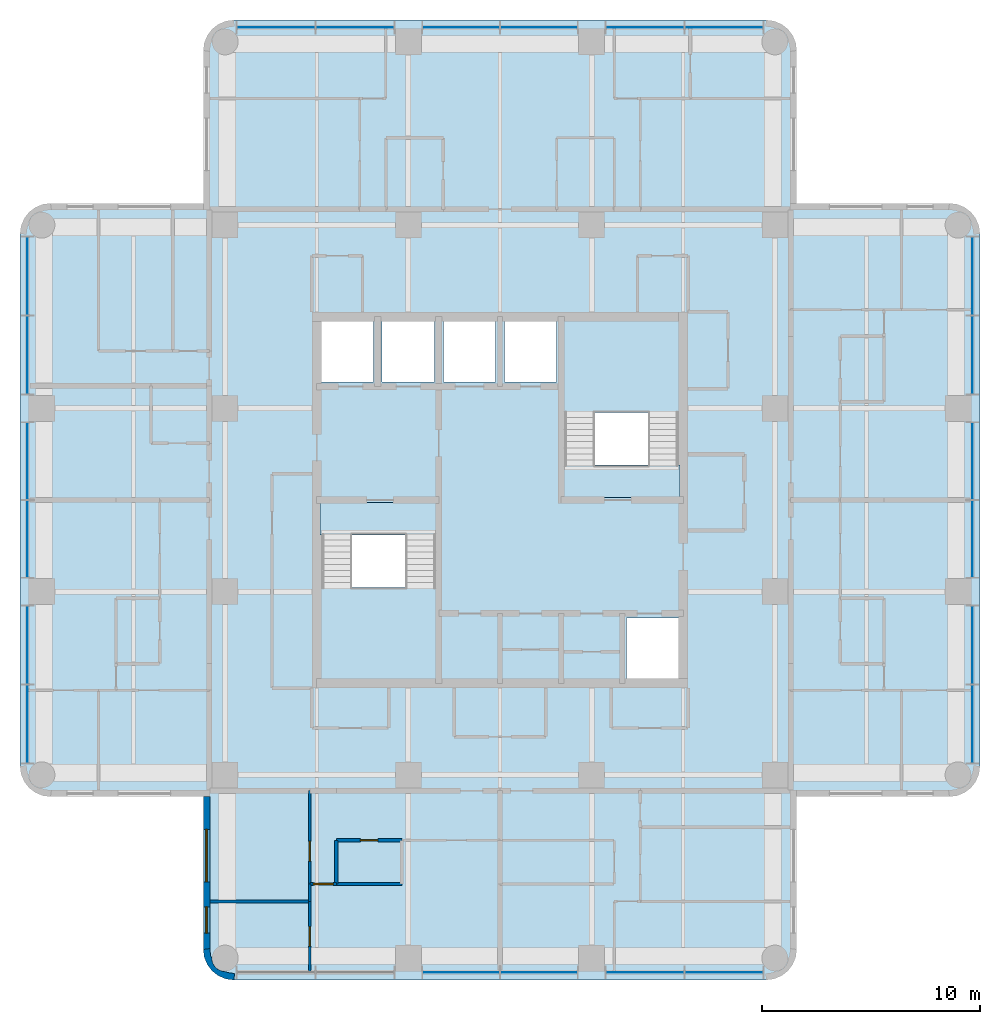
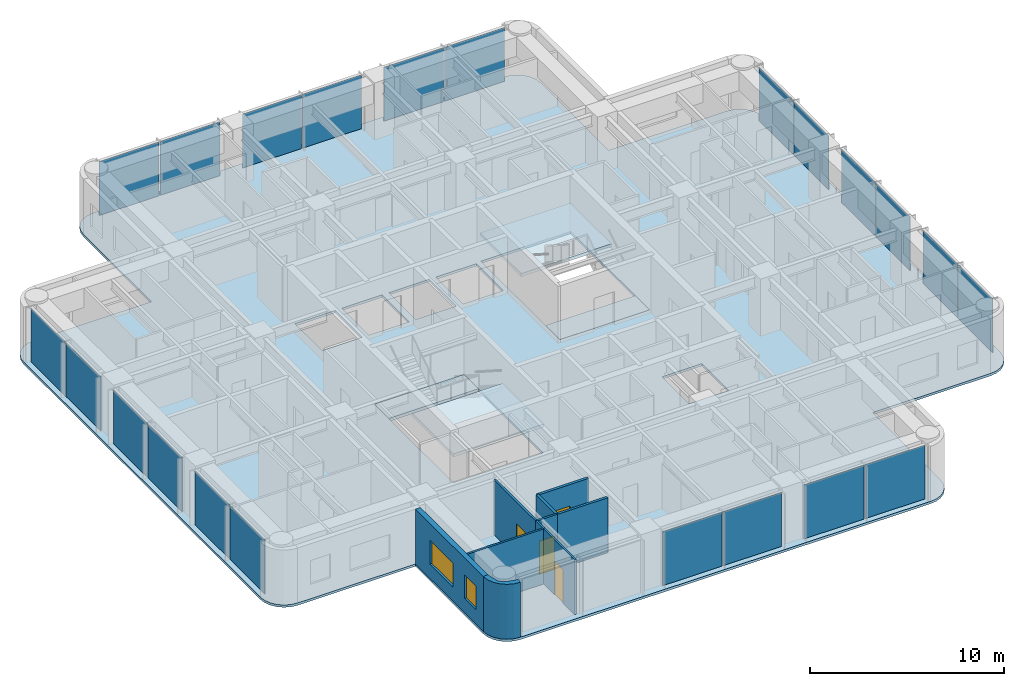
# One storey, part 3 of 10: 22 plates, 10 walls, 5 slabs, 4 doors, 2 windows, 6 openings, 6 elements without a shape of their own.
"""IFC4 building model written with IfcOpenShell, lengths in metres."""

from ifc_helpers import new_model, si_unit, direction, frame, frame_2d, origin, origin_2d, place, context, subcontext, project, spatial, polyline, rectangle, outline, extrude, material, layer, layer_set, type_object, element, fill, aggregate, save


model = new_model("IFC4")

# Units and contexts
model_context = context("Model", 3, precision=1e-05, world=origin(), true_north=direction((0.0, 1.0)))
body_context = subcontext(model_context, "Body", "Model", "MODEL_VIEW")
ifc_project = project(units=[si_unit("LENGTHUNIT", "METRE"), si_unit("AREAUNIT", "SQUARE_METRE"), si_unit("VOLUMEUNIT", "CUBIC_METRE"), si_unit("PLANEANGLEUNIT", "RADIAN"), si_unit("MASSUNIT", "GRAM", prefix="KILO")], contexts=[model_context])

# Site, building, storey
site_placement = place(None, origin())
site = spatial("IfcSite", under=ifc_project, at=site_placement, CompositionType="ELEMENT")
building_placement = place(site_placement, origin())
building = spatial("IfcBuilding", under=site, at=building_placement, Name="Torre Alcanfor", CompositionType="ELEMENT")
storey_placement = place(building_placement, frame((0.0, 0.0, 293.699951171875)))
storey = spatial("IfcBuildingStorey", under=building, at=storey_placement, Name="L77", CompositionType="ELEMENT", Elevation=293.699951171875)

# Curtain wall, plates
ifc_material_1 = material(Name="Aluminium and glass", Category="aluminium")
curtain_wall_type = type_object("IfcCurtainWallType", Name="CW-A unitised apartment glazing with vertical FIN", PredefinedType="NOTDEFINED", material=ifc_material_1)
curtain_wall_1_placement = place(storey_placement, origin())
curtain_wall_1 = element("IfcCurtainWall", 1, at=curtain_wall_1_placement, inside=storey, type_object=curtain_wall_type, Name="Curtain wall CW-A L77 2", PredefinedType="NOTDEFINED")
ifc_material_2 = material(Name="Glass", Category="glass")
ifc_layer_1 = layer(ifc_material_2, 0.028076171875)
ifc_layer_set_1 = layer_set([ifc_layer_1], Name="CW-A clear double glazed unit")
plate_type = type_object("IfcPlateType", Name="CW-A clear double glazed unit", PredefinedType="CURTAIN_PANEL", material=ifc_layer_set_1)
plate_1_placement = place(storey_placement, frame((7.75, 39.664794921875, 0.0), z_axis=(0.0, 0.0, 1.0), x_axis=(0.0, -1.0, 0.0)))
plate_1 = element("IfcPlate", 2, at=plate_1_placement, type_object=plate_type, Name="CW-A panel 1.1.1", PredefinedType="CURTAIN_PANEL", context=body_context, shape_type="SweptSolid", body=[
    extrude(rectangle(XDim=3.55322265625, YDim=0.028076171875, at=origin_2d()), origin(), (0.0, 0.0, 1.0), 3.385009765625),
])
plate_2_placement = place(storey_placement, frame((7.75, 36.046630859375, 0.0), z_axis=(0.0, 0.0, 1.0), x_axis=(0.0, -1.0, 0.0)))
plate_2 = element("IfcPlate", 3, at=plate_2_placement, type_object=plate_type, Name="CW-A panel 1.2.1", PredefinedType="CURTAIN_PANEL", context=body_context, shape_type="SweptSolid", body=[
    extrude(rectangle(XDim=3.55322265625, YDim=0.028076171875, at=origin_2d()), origin(), (0.0, 0.0, 1.0), 3.385009765625),
])
plate_3_placement = place(storey_placement, frame((7.75, 31.18115234375, 0.0), z_axis=(0.0, 0.0, 1.0), x_axis=(0.0, -1.0, 0.0)))
plate_3 = element("IfcPlate", 4, at=plate_3_placement, type_object=plate_type, Name="CW-A panel 2.1.1", PredefinedType="CURTAIN_PANEL", context=body_context, shape_type="SweptSolid", body=[
    extrude(rectangle(XDim=3.49755859375, YDim=0.028076171875, at=origin_2d()), origin(), (0.0, 0.0, 1.0), 3.385009765625),
])
plate_4_placement = place(storey_placement, frame((7.75, 27.61865234375, 0.0), z_axis=(0.0, 0.0, 1.0), x_axis=(0.0, -1.0, 0.0)))
plate_4 = element("IfcPlate", 5, at=plate_4_placement, type_object=plate_type, Name="CW-A panel 2.2.1", PredefinedType="CURTAIN_PANEL", context=body_context, shape_type="SweptSolid", body=[
    extrude(rectangle(XDim=3.49755859375, YDim=0.028076171875, at=origin_2d()), origin(), (0.0, 0.0, 1.0), 3.385009765625),
])
plate_5_placement = place(storey_placement, frame((7.75, 22.75341796875, 0.0), z_axis=(0.0, 0.0, 1.0), x_axis=(0.0, -1.0, 0.0)))
plate_5 = element("IfcPlate", 6, at=plate_5_placement, type_object=plate_type, Name="CW-A panel 3.1.1", PredefinedType="CURTAIN_PANEL", context=body_context, shape_type="SweptSolid", body=[
    extrude(rectangle(XDim=3.55322265625, YDim=0.028076171875, at=origin_2d()), origin(), (0.0, 0.0, 1.0), 3.385009765625),
])
plate_6_placement = place(storey_placement, frame((7.75, 19.135009765625, 0.0), z_axis=(0.0, 0.0, 1.0), x_axis=(0.0, -1.0, 0.0)))
plate_6 = element("IfcPlate", 7, at=plate_6_placement, type_object=plate_type, Name="CW-A panel 3.2.1", PredefinedType="CURTAIN_PANEL", context=body_context, shape_type="SweptSolid", body=[
    extrude(rectangle(XDim=3.55322265625, YDim=0.028076171875, at=origin_2d()), origin(), (0.0, 0.0, 1.0), 3.385009765625),
])
aggregate(curtain_wall_1, [plate_1, plate_2, plate_3, plate_4, plate_5, plate_6])

curtain_wall_2_placement = place(storey_placement, origin())
curtain_wall_2 = element("IfcCurtainWall", 8, at=curtain_wall_2_placement, inside=storey, type_object=curtain_wall_type, Name="Curtain wall CW-A L77 5", PredefinedType="NOTDEFINED")
plate_7_placement = place(storey_placement, frame((27.61865234375, 7.75, 0.0), z_axis=(0.0, 0.0, 1.0), x_axis=(1.0, 0.0, 0.0)))
plate_7 = element("IfcPlate", 9, at=plate_7_placement, type_object=plate_type, Name="CW-A panel 2.1.1", PredefinedType="CURTAIN_PANEL", context=body_context, shape_type="SweptSolid", body=[
    extrude(rectangle(XDim=3.49755859375, YDim=0.028076171875, at=origin_2d()), origin(), (0.0, 0.0, 1.0), 3.385009765625),
])
plate_8_placement = place(storey_placement, frame((31.18115234375, 7.75, 0.0), z_axis=(0.0, 0.0, 1.0), x_axis=(1.0, 0.0, 0.0)))
plate_8 = element("IfcPlate", 10, at=plate_8_placement, type_object=plate_type, Name="CW-A panel 2.2.1", PredefinedType="CURTAIN_PANEL", context=body_context, shape_type="SweptSolid", body=[
    extrude(rectangle(XDim=3.49755859375, YDim=0.028076171875, at=origin_2d()), origin(), (0.0, 0.0, 1.0), 3.385009765625),
])
plate_9_placement = place(storey_placement, frame((36.046630859375, 7.75, 0.0), z_axis=(0.0, 0.0, 1.0), x_axis=(1.0, 0.0, 0.0)))
plate_9 = element("IfcPlate", 11, at=plate_9_placement, type_object=plate_type, Name="CW-A panel 3.1.1", PredefinedType="CURTAIN_PANEL", context=body_context, shape_type="SweptSolid", body=[
    extrude(rectangle(XDim=3.55322265625, YDim=0.028076171875, at=origin_2d()), origin(), (0.0, 0.0, 1.0), 3.385009765625),
])
plate_10_placement = place(storey_placement, frame((39.664794921875, 7.75, 0.0), z_axis=(0.0, 0.0, 1.0), x_axis=(1.0, 0.0, 0.0)))
plate_10 = element("IfcPlate", 12, at=plate_10_placement, type_object=plate_type, Name="CW-A panel 3.2.1", PredefinedType="CURTAIN_PANEL", context=body_context, shape_type="SweptSolid", body=[
    extrude(rectangle(XDim=3.55322265625, YDim=0.028076171875, at=origin_2d()), origin(), (0.0, 0.0, 1.0), 3.385009765625),
])
aggregate(curtain_wall_2, [plate_7, plate_8, plate_9, plate_10])

curtain_wall_3_placement = place(storey_placement, origin())
curtain_wall_3 = element("IfcCurtainWall", 13, at=curtain_wall_3_placement, inside=storey, type_object=curtain_wall_type, Name="Curtain wall CW-A L77 8", PredefinedType="NOTDEFINED")
plate_11_placement = place(storey_placement, frame((51.050048828125, 19.135009765625, 0.0), z_axis=(0.0, 0.0, 1.0), x_axis=(0.0, 1.0, 0.0)))
plate_11 = element("IfcPlate", 14, at=plate_11_placement, type_object=plate_type, Name="CW-A panel 1.1.1", PredefinedType="CURTAIN_PANEL", context=body_context, shape_type="SweptSolid", body=[
    extrude(rectangle(XDim=3.55322265625, YDim=0.028076171875, at=origin_2d()), origin(), (0.0, 0.0, 1.0), 3.385009765625),
])
plate_12_placement = place(storey_placement, frame((51.050048828125, 22.75341796875, 0.0), z_axis=(0.0, 0.0, 1.0), x_axis=(0.0, 1.0, 0.0)))
plate_12 = element("IfcPlate", 15, at=plate_12_placement, type_object=plate_type, Name="CW-A panel 1.2.1", PredefinedType="CURTAIN_PANEL", context=body_context, shape_type="SweptSolid", body=[
    extrude(rectangle(XDim=3.55322265625, YDim=0.028076171875, at=origin_2d()), origin(), (0.0, 0.0, 1.0), 3.385009765625),
])
plate_13_placement = place(storey_placement, frame((51.050048828125, 27.61865234375, 0.0), z_axis=(0.0, 0.0, 1.0), x_axis=(0.0, 1.0, 0.0)))
plate_13 = element("IfcPlate", 16, at=plate_13_placement, type_object=plate_type, Name="CW-A panel 2.1.1", PredefinedType="CURTAIN_PANEL", context=body_context, shape_type="SweptSolid", body=[
    extrude(rectangle(XDim=3.49755859375, YDim=0.028076171875, at=origin_2d()), origin(), (0.0, 0.0, 1.0), 3.385009765625),
])
plate_14_placement = place(storey_placement, frame((51.050048828125, 31.18115234375, 0.0), z_axis=(0.0, 0.0, 1.0), x_axis=(0.0, 1.0, 0.0)))
plate_14 = element("IfcPlate", 17, at=plate_14_placement, type_object=plate_type, Name="CW-A panel 2.2.1", PredefinedType="CURTAIN_PANEL", context=body_context, shape_type="SweptSolid", body=[
    extrude(rectangle(XDim=3.49755859375, YDim=0.028076171875, at=origin_2d()), origin(), (0.0, 0.0, 1.0), 3.385009765625),
])
plate_15_placement = place(storey_placement, frame((51.050048828125, 36.046630859375, 0.0), z_axis=(0.0, 0.0, 1.0), x_axis=(0.0, 1.0, 0.0)))
plate_15 = element("IfcPlate", 18, at=plate_15_placement, type_object=plate_type, Name="CW-A panel 3.1.1", PredefinedType="CURTAIN_PANEL", context=body_context, shape_type="SweptSolid", body=[
    extrude(rectangle(XDim=3.55322265625, YDim=0.028076171875, at=origin_2d()), origin(), (0.0, 0.0, 1.0), 3.385009765625),
])
plate_16_placement = place(storey_placement, frame((51.050048828125, 39.664794921875, 0.0), z_axis=(0.0, 0.0, 1.0), x_axis=(0.0, 1.0, 0.0)))
plate_16 = element("IfcPlate", 19, at=plate_16_placement, type_object=plate_type, Name="CW-A panel 3.2.1", PredefinedType="CURTAIN_PANEL", context=body_context, shape_type="SweptSolid", body=[
    extrude(rectangle(XDim=3.55322265625, YDim=0.028076171875, at=origin_2d()), origin(), (0.0, 0.0, 1.0), 3.385009765625),
])
aggregate(curtain_wall_3, [plate_11, plate_12, plate_13, plate_14, plate_15, plate_16])

curtain_wall_4_placement = place(storey_placement, origin())
curtain_wall_4 = element("IfcCurtainWall", 20, at=curtain_wall_4_placement, inside=storey, type_object=curtain_wall_type, Name="Curtain wall CW-A L77 11", PredefinedType="NOTDEFINED")
plate_17_placement = place(storey_placement, frame((39.664794921875, 51.050048828125, 0.0), z_axis=(0.0, 0.0, 1.0), x_axis=(-1.0, 0.0, 0.0)))
plate_17 = element("IfcPlate", 21, at=plate_17_placement, type_object=plate_type, Name="CW-A panel 1.1.1", PredefinedType="CURTAIN_PANEL", context=body_context, shape_type="SweptSolid", body=[
    extrude(rectangle(XDim=3.55322265625, YDim=0.028076171875, at=origin_2d()), origin(), (0.0, 0.0, 1.0), 3.385009765625),
])
plate_18_placement = place(storey_placement, frame((36.046630859375, 51.050048828125, 0.0), z_axis=(0.0, 0.0, 1.0), x_axis=(-1.0, 0.0, 0.0)))
plate_18 = element("IfcPlate", 22, at=plate_18_placement, type_object=plate_type, Name="CW-A panel 1.2.1", PredefinedType="CURTAIN_PANEL", context=body_context, shape_type="SweptSolid", body=[
    extrude(rectangle(XDim=3.55322265625, YDim=0.028076171875, at=origin_2d()), origin(), (0.0, 0.0, 1.0), 3.385009765625),
])
plate_19_placement = place(storey_placement, frame((31.18115234375, 51.050048828125, 0.0), z_axis=(0.0, 0.0, 1.0), x_axis=(-1.0, 0.0, 0.0)))
plate_19 = element("IfcPlate", 23, at=plate_19_placement, type_object=plate_type, Name="CW-A panel 2.1.1", PredefinedType="CURTAIN_PANEL", context=body_context, shape_type="SweptSolid", body=[
    extrude(rectangle(XDim=3.49755859375, YDim=0.028076171875, at=origin_2d()), origin(), (0.0, 0.0, 1.0), 3.385009765625),
])
plate_20_placement = place(storey_placement, frame((27.61865234375, 51.050048828125, 0.0), z_axis=(0.0, 0.0, 1.0), x_axis=(-1.0, 0.0, 0.0)))
plate_20 = element("IfcPlate", 24, at=plate_20_placement, type_object=plate_type, Name="CW-A panel 2.2.1", PredefinedType="CURTAIN_PANEL", context=body_context, shape_type="SweptSolid", body=[
    extrude(rectangle(XDim=3.49755859375, YDim=0.028076171875, at=origin_2d()), origin(), (0.0, 0.0, 1.0), 3.385009765625),
])
plate_21_placement = place(storey_placement, frame((22.75341796875, 51.050048828125, 0.0), z_axis=(0.0, 0.0, 1.0), x_axis=(-1.0, 0.0, 0.0)))
plate_21 = element("IfcPlate", 25, at=plate_21_placement, type_object=plate_type, Name="CW-A panel 3.1.1", PredefinedType="CURTAIN_PANEL", context=body_context, shape_type="SweptSolid", body=[
    extrude(rectangle(XDim=3.55322265625, YDim=0.028076171875, at=origin_2d()), origin(), (0.0, 0.0, 1.0), 3.385009765625),
])
plate_22_placement = place(storey_placement, frame((19.135009765625, 51.050048828125, 0.0), z_axis=(0.0, 0.0, 1.0), x_axis=(-1.0, 0.0, 0.0)))
plate_22 = element("IfcPlate", 26, at=plate_22_placement, type_object=plate_type, Name="CW-A panel 3.2.1", PredefinedType="CURTAIN_PANEL", context=body_context, shape_type="SweptSolid", body=[
    extrude(rectangle(XDim=3.55322265625, YDim=0.028076171875, at=origin_2d()), origin(), (0.0, 0.0, 1.0), 3.385009765625),
])
aggregate(curtain_wall_4, [plate_17, plate_18, plate_19, plate_20, plate_21, plate_22])

# Slab
ifc_material_3 = material(Name="Concrete f'c 35 MPa", Category="concrete")
ifc_layer_2 = layer(ifc_material_3, 0.14990234375)
ifc_layer_set_2 = layer_set([ifc_layer_2], Name="Composite floor 150 on metal deck")
slab_type_1 = type_object("IfcSlabType", Name="Composite floor 150 on metal deck", PredefinedType="FLOOR", material=ifc_layer_set_2)
slab_1_placement = place(storey_placement, frame((0.0, 0.0, -0.14990234375)))
element("IfcSlab", 27, at=slab_1_placement, inside=storey, type_object=slab_type_1, Name="Floor slab L77", PredefinedType="FLOOR", context=body_context, shape_type="SweptSolid", body=[
    extrude(outline(polyline([(15.800048828125, 43.0), (8.800048828125, 43.0), (8.437744140625, 42.952392578125), (8.10009765625, 42.8125), (7.81005859375, 42.58984375), (7.587646484375, 42.300048828125), (7.44775390625, 41.96240234375), (7.39990234375, 41.60009765625), (7.39990234375, 17.199951171875), (7.44775390625, 16.837646484375), (7.587646484375, 16.5), (7.81005859375, 16.210205078125), (8.10009765625, 15.987548828125), (8.437744140625, 15.84765625), (8.800048828125, 15.800048828125), (15.800048828125, 15.800048828125), (15.800048828125, 8.800048828125), (15.84765625, 8.437744140625), (15.987548828125, 8.10009765625), (16.210205078125, 7.81005859375), (16.5, 7.587646484375), (16.837646484375, 7.44775390625), (17.199951171875, 7.39990234375), (41.60009765625, 7.39990234375), (41.96240234375, 7.44775390625), (42.300048828125, 7.587646484375), (42.58984375, 7.81005859375), (42.8125, 8.10009765625), (42.952392578125, 8.437744140625), (43.0, 8.800048828125), (43.0, 15.800048828125), (50.0, 15.800048828125), (50.3623046875, 15.84765625), (50.699951171875, 15.987548828125), (50.989990234375, 16.210205078125), (51.21240234375, 16.5), (51.352294921875, 16.837646484375), (51.39990234375, 17.199951171875), (51.39990234375, 41.60009765625), (51.352294921875, 41.96240234375), (51.21240234375, 42.300048828125), (50.989990234375, 42.58984375), (50.699951171875, 42.8125), (50.3623046875, 42.952392578125), (50.0, 43.0), (43.0, 43.0), (43.0, 50.0), (42.952392578125, 50.3623046875), (42.8125, 50.699951171875), (42.58984375, 50.989990234375), (42.300048828125, 51.21240234375), (41.96240234375, 51.352294921875), (41.60009765625, 51.39990234375), (17.199951171875, 51.39990234375), (16.837646484375, 51.352294921875), (16.5, 51.21240234375), (16.210205078125, 50.989990234375), (15.987548828125, 50.699951171875), (15.84765625, 50.3623046875), (15.800048828125, 50.0), (15.800048828125, 43.0)]), holes=[polyline([(21.14501953125, 21.14501953125), (26.47998046875, 21.14501953125), (26.47998046875, 29.280029296875), (21.14501953125, 29.280029296875), (21.14501953125, 21.14501953125)]), polyline([(32.320068359375, 29.52001953125), (37.655029296875, 29.52001953125), (37.655029296875, 37.655029296875), (32.320068359375, 37.655029296875), (32.320068359375, 29.52001953125)]), polyline([(35.199951171875, 21.22509765625), (37.574951171875, 21.22509765625), (37.574951171875, 24.0), (35.199951171875, 24.0), (35.199951171875, 21.22509765625)]), polyline([(21.22509765625, 34.800048828125), (23.60009765625, 34.800048828125), (23.60009765625, 37.574951171875), (21.22509765625, 37.574951171875), (21.22509765625, 34.800048828125)]), polyline([(24.0, 34.800048828125), (26.39990234375, 34.800048828125), (26.39990234375, 37.574951171875), (24.0, 37.574951171875), (24.0, 34.800048828125)]), polyline([(26.800048828125, 34.800048828125), (29.199951171875, 34.800048828125), (29.199951171875, 37.574951171875), (26.800048828125, 37.574951171875), (26.800048828125, 34.800048828125)]), polyline([(29.60009765625, 34.800048828125), (32.0, 34.800048828125), (32.0, 37.574951171875), (29.60009765625, 37.574951171875), (29.60009765625, 34.800048828125)])]), origin(), (0.0, 0.0, 1.0), 0.14990234375),
])

# Stair, slabs
ifc_material_4 = material(Name="Concrete f'c 35 MPa", Category="concrete")
stair_type_1 = type_object("IfcStairType", Name="Exit stair S1 1400 wide", PredefinedType="HALF_TURN_STAIR", material=ifc_material_4)
stair_1_placement = place(storey_placement, origin())
stair_1 = element("IfcStair", 28, at=stair_1_placement, inside=storey, type_object=stair_type_1, Name="Stair S1 L77 to L78", PredefinedType="HALF_TURN_STAIR")
ifc_material_5 = material(Name="Concrete f'c 35 MPa", Category="concrete")
ifc_layer_3 = layer(ifc_material_5, 0.199951171875)
ifc_layer_set_3 = layer_set([ifc_layer_3], Name="Stair landing 200")
slab_type_2 = type_object("IfcSlabType", Name="Stair landing 200", PredefinedType="LANDING", material=ifc_layer_set_3)
slab_2_placement = place(storey_placement, frame((0.0, 0.0, -0.199951171875)))
slab_2 = element("IfcSlab", 29, at=slab_2_placement, type_object=slab_type_2, Name="S1 landing 1", PredefinedType="LANDING", context=body_context, shape_type="SweptSolid", body=[
    extrude(outline(polyline([(21.14501953125, 27.800048828125), (26.47998046875, 27.800048828125), (26.47998046875, 29.280029296875), (21.14501953125, 29.280029296875), (21.14501953125, 27.800048828125)])), origin(), (0.0, 0.0, 1.0), 0.199951171875),
])
slab_3_placement = place(storey_placement, frame((0.0, 0.0, 1.60009765625)))
slab_3 = element("IfcSlab", 30, at=slab_3_placement, type_object=slab_type_2, Name="S1 landing 2", PredefinedType="LANDING", context=body_context, shape_type="SweptSolid", body=[
    extrude(outline(polyline([(21.14501953125, 21.14501953125), (26.530029296875, 21.14501953125), (26.530029296875, 25.3798828125), (21.14501953125, 25.3798828125), (21.14501953125, 21.14501953125)])), origin(), (0.0, 0.0, 1.0), 0.199951171875),
])
aggregate(stair_1, [slab_2, slab_3])

ifc_material_6 = material(Name="Concrete f'c 35 MPa", Category="concrete")
stair_type_2 = type_object("IfcStairType", Name="Exit stair S2 1400 wide", PredefinedType="HALF_TURN_STAIR", material=ifc_material_6)
stair_2_placement = place(storey_placement, origin())
stair_2 = element("IfcStair", 31, at=stair_2_placement, inside=storey, type_object=stair_type_2, Name="Stair S2 L77 to L78", PredefinedType="HALF_TURN_STAIR")
slab_4_placement = place(storey_placement, frame((0.0, 0.0, -0.199951171875)))
slab_4 = element("IfcSlab", 32, at=slab_4_placement, type_object=slab_type_2, Name="S2 landing 1", PredefinedType="LANDING", context=body_context, shape_type="SweptSolid", body=[
    extrude(outline(polyline([(32.320068359375, 29.52001953125), (37.655029296875, 29.52001953125), (37.655029296875, 31.0), (32.320068359375, 31.0), (32.320068359375, 29.52001953125)])), origin(), (0.0, 0.0, 1.0), 0.199951171875),
])
slab_5_placement = place(storey_placement, frame((0.0, 0.0, 1.60009765625)))
slab_5 = element("IfcSlab", 33, at=slab_5_placement, type_object=slab_type_2, Name="S2 landing 2", PredefinedType="LANDING", context=body_context, shape_type="SweptSolid", body=[
    extrude(outline(polyline([(32.27001953125, 33.419921875), (37.655029296875, 33.419921875), (37.655029296875, 37.655029296875), (32.27001953125, 37.655029296875), (32.27001953125, 33.419921875)])), origin(), (0.0, 0.0, 1.0), 0.199951171875),
])
aggregate(stair_2, [slab_4, slab_5])

# Wall, opening, door
ifc_material_7 = material(Name="Gypsum board on steel studs", Category="steel")
ifc_layer_4 = layer(ifc_material_7, 0.1201171875)
ifc_layer_set_4 = layer_set([ifc_layer_4], Name="Apartment partition 120")
wall_type_1 = type_object("IfcWallType", Name="Apartment partition 120", PredefinedType="PARTITIONING", material=ifc_layer_set_4)
wall_1_placement = place(storey_placement, frame((21.89990234375, 11.800048828125, 0.0), z_axis=(0.0, 0.0, 1.0), x_axis=(-1.0, 0.0, 0.0)))
wall_1 = element("IfcWall", 34, at=wall_1_placement, inside=storey, type_object=wall_type_1, Name="Partition L77-S2-HALL / L77-S2-LIVING", PredefinedType="PARTITIONING", context=body_context, shape_type="SweptSolid", body=[
    extrude(rectangle(XDim=1.2138671875, YDim=0.1201171875, at=frame_2d((0.60693359375, 0.0))), origin(), (0.0, 0.0, 1.0), 3.449951171875),
])
opening_1_placement = place(wall_1_placement, frame((0.14990234375, 0.0, 0.0)))
opening_1 = element("IfcOpeningElement", 35, at=opening_1_placement, cuts=wall_1, Name="Opening D-R1", PredefinedType="OPENING", context=body_context, shape_type="SweptSolid", body=[
    extrude(rectangle(XDim=0.89990234375, YDim=2.10009765625, at=frame_2d((0.449951171875, 1.050048828125))), frame((0.0, 0.070068359375, 0.0), z_axis=(0.0, -1.0, 0.0), x_axis=(1.0, 0.0, 0.0)), (0.0, 0.0, 1.0), 0.14013671875),
])
ifc_material_8 = material(Name="Timber", Category="wood")
door_type_1 = type_object("IfcDoorType", Name="Internal door 900x2100", OperationType="SINGLE_SWING_LEFT", PredefinedType="DOOR", material=ifc_material_8)
door_1_placement = place(opening_1_placement, origin())
door_1 = element("IfcDoor", 36, at=door_1_placement, inside=storey, type_object=door_type_1, Name="Door L77-S2 living", OperationType="SINGLE_SWING_RIGHT", OverallHeight=2.10009765625, OverallWidth=0.89990234375, PredefinedType="DOOR", context=body_context, shape_type="SweptSolid", body=[
    extrude(rectangle(XDim=0.89990234375, YDim=2.10009765625, at=frame_2d((0.449951171875, 1.050048828125))), frame((0.0, 0.02490234375, 0.0), z_axis=(0.0, -1.0, 0.0), x_axis=(1.0, 0.0, 0.0)), (0.0, 0.0, 1.0), 0.050048828125),
])
fill(opening_1, door_1)

wall_2_placement = place(storey_placement, frame((20.68603515625, 11.800048828125, 0.0), z_axis=(0.0, 0.0, 1.0), x_axis=(0.0, 1.0, 0.0)))
wall_2 = element("IfcWall", 37, at=wall_2_placement, inside=storey, type_object=wall_type_1, Name="Partition L77-S2-HALL / L77-S2-MASTER", PredefinedType="PARTITIONING", context=body_context, shape_type="SweptSolid", body=[
    extrude(rectangle(XDim=4.27490234375, YDim=0.1201171875, at=frame_2d((2.137451171875, 0.0))), origin(), (0.0, 0.0, 1.0), 3.449951171875),
])
opening_2_placement = place(wall_2_placement, frame((1.050048828125, 0.0, 0.0)))
opening_2 = element("IfcOpeningElement", 38, at=opening_2_placement, cuts=wall_2, Name="Opening D-R1", PredefinedType="OPENING", context=body_context, shape_type="SweptSolid", body=[
    extrude(rectangle(XDim=0.89990234375, YDim=2.10009765625, at=frame_2d((0.449951171875, 1.050048828125))), frame((0.0, 0.070068359375, 0.0), z_axis=(0.0, -1.0, 0.0), x_axis=(1.0, 0.0, 0.0)), (0.0, 0.0, 1.0), 0.14013671875),
])
door_2_placement = place(opening_2_placement, origin())
door_2 = element("IfcDoor", 39, at=door_2_placement, inside=storey, type_object=door_type_1, Name="Door L77-S2 master", OperationType="SINGLE_SWING_LEFT", OverallHeight=2.10009765625, OverallWidth=0.89990234375, PredefinedType="DOOR", context=body_context, shape_type="SweptSolid", body=[
    extrude(rectangle(XDim=0.89990234375, YDim=2.10009765625, at=frame_2d((0.449951171875, 1.050048828125))), frame((0.0, 0.02490234375, 0.0), z_axis=(0.0, -1.0, 0.0), x_axis=(1.0, 0.0, 0.0)), (0.0, 0.0, 1.0), 0.050048828125),
])
fill(opening_2, door_2)

# Wall
wall_3_placement = place(storey_placement, frame((20.68603515625, 11.0, 0.0), z_axis=(0.0, 0.0, 1.0), x_axis=(0.0, 1.0, 0.0)))
element("IfcWall", 40, at=wall_3_placement, inside=storey, type_object=wall_type_1, Name="Partition L77-S2-LIVING / L77-S2-MASTER", PredefinedType="PARTITIONING", context=body_context, shape_type="SweptSolid", body=[
    extrude(rectangle(XDim=0.800048828125, YDim=0.1201171875, at=frame_2d((0.39990234375, 0.0))), origin(), (0.0, 0.0, 1.0), 3.449951171875),
])

# Wall, opening, door
wall_4_placement = place(storey_placement, frame((20.68603515625, 7.75, 0.0), z_axis=(0.0, 0.0, 1.0), x_axis=(0.0, 1.0, 0.0)))
wall_4 = element("IfcWall", 41, at=wall_4_placement, inside=storey, type_object=wall_type_1, Name="Partition L77-S2-LIVING / L77-S2-BED2", PredefinedType="PARTITIONING", context=body_context, shape_type="SweptSolid", body=[
    extrude(rectangle(XDim=3.25, YDim=0.1201171875, at=frame_2d((1.625, 0.0))), origin(), (0.0, 0.0, 1.0), 3.449951171875),
])
opening_3_placement = place(wall_4_placement, frame((1.199951171875, 0.0, 0.0)))
opening_3 = element("IfcOpeningElement", 42, at=opening_3_placement, cuts=wall_4, Name="Opening D-R1", PredefinedType="OPENING", context=body_context, shape_type="SweptSolid", body=[
    extrude(rectangle(XDim=0.89990234375, YDim=2.10009765625, at=frame_2d((0.449951171875, 1.050048828125))), frame((0.0, 0.070068359375, 0.0), z_axis=(0.0, -1.0, 0.0), x_axis=(1.0, 0.0, 0.0)), (0.0, 0.0, 1.0), 0.14013671875),
])
door_3_placement = place(opening_3_placement, origin())
door_3 = element("IfcDoor", 43, at=door_3_placement, inside=storey, type_object=door_type_1, Name="Door L77-S2 bed2", OperationType="SINGLE_SWING_RIGHT", OverallHeight=2.10009765625, OverallWidth=0.89990234375, PredefinedType="DOOR", context=body_context, shape_type="SweptSolid", body=[
    extrude(rectangle(XDim=0.89990234375, YDim=2.10009765625, at=frame_2d((0.449951171875, 1.050048828125))), frame((0.0, 0.02490234375, 0.0), z_axis=(0.0, -1.0, 0.0), x_axis=(1.0, 0.0, 0.0)), (0.0, 0.0, 1.0), 0.050048828125),
])
fill(opening_3, door_3)

# Wall
wall_5_placement = place(storey_placement, frame((20.68603515625, 11.0, 0.0), z_axis=(0.0, 0.0, 1.0), x_axis=(-1.0, 0.0, 0.0)))
element("IfcWall", 44, at=wall_5_placement, inside=storey, type_object=wall_type_1, Name="Partition L77-S2-MASTER / L77-S2-BED2", PredefinedType="PARTITIONING", context=body_context, shape_type="SweptSolid", body=[
    extrude(rectangle(XDim=4.5859375, YDim=0.1201171875, at=frame_2d((2.29296875, 0.0))), origin(), (0.0, 0.0, 1.0), 3.449951171875),
])

# Wall, openings, windows
ifc_material_9 = material(Name="Limestone cladding", Category="masonry")
ifc_layer_5 = layer(ifc_material_9, 0.0400390625, Name="Facing")
ifc_material_10 = material(Name="Ventilated air cavity")
ifc_layer_6 = layer(ifc_material_10, 0.02001953125, ventilated=True, Name="Ventilated joint")
ifc_material_11 = material(Name="Mineral wool insulation", Category="insulation")
ifc_layer_7 = layer(ifc_material_11, 0.10009765625, Name="Insulation")
ifc_material_12 = material(Name="Concrete f'c 35 MPa", Category="concrete")
ifc_layer_8 = layer(ifc_material_12, 0.139892578125, Name="Backing")
ifc_layer_set_5 = layer_set([ifc_layer_5, ifc_layer_6, ifc_layer_7, ifc_layer_8], Name="External wall stone-clad 300")
wall_type_2 = type_object("IfcWallType", Name="External wall stone-clad 300", PredefinedType="SOLIDWALL", material=ifc_layer_set_5)
wall_6_placement = place(storey_placement, frame((15.949951171875, 15.800048828125, 0.0), z_axis=(0.0, 0.0, 1.0), x_axis=(0.0, -1.0, 0.0)))
wall_6 = element("IfcWall", 45, at=wall_6_placement, inside=storey, type_object=wall_type_2, Name="External wall L77 4", PredefinedType="SOLIDWALL", context=body_context, shape_type="SweptSolid", body=[
    extrude(rectangle(XDim=7.0, YDim=0.300048828125, at=frame_2d((3.5, 0.0))), origin(), (0.0, 0.0, 1.0), 3.449951171875),
])
opening_4_placement = place(wall_6_placement, frame((1.5, 0.0, 0.89990234375)))
opening_4 = element("IfcOpeningElement", 46, at=opening_4_placement, cuts=wall_6, Name="Opening W1", PredefinedType="OPENING", context=body_context, shape_type="SweptSolid", body=[
    extrude(rectangle(XDim=2.39990234375, YDim=1.5, at=frame_2d((1.199951171875, 0.75))), frame((0.0, 0.159912109375, 0.0), z_axis=(0.0, -1.0, 0.0), x_axis=(1.0, 0.0, 0.0)), (0.0, 0.0, 1.0), 0.320068359375),
])
opening_5_placement = place(wall_6_placement, frame((5.050048828125, 0.0, 0.89990234375)))
opening_5 = element("IfcOpeningElement", 47, at=opening_5_placement, cuts=wall_6, Name="Opening W4", PredefinedType="OPENING", context=body_context, shape_type="SweptSolid", body=[
    extrude(rectangle(XDim=1.199951171875, YDim=1.5, at=frame_2d((0.60009765625, 0.75))), frame((0.0, 0.159912109375, 0.0), z_axis=(0.0, -1.0, 0.0), x_axis=(1.0, 0.0, 0.0)), (0.0, 0.0, 1.0), 0.320068359375),
])
ifc_material_13 = material(Name="Aluminium frame with clear double glazing", Category="aluminium")
window_type_1 = type_object("IfcWindowType", Name="Window bedroom 1200x1500", PartitioningType="SINGLE_PANEL", PredefinedType="WINDOW", material=ifc_material_13)
window_1_placement = place(opening_5_placement, origin())
window_1 = element("IfcWindow", 48, at=window_1_placement, inside=storey, type_object=window_type_1, Name="Window W4 L77-S2", OverallHeight=1.5, OverallWidth=1.199951171875, PartitioningType="SINGLE_PANEL", PredefinedType="WINDOW", context=body_context, shape_type="SweptSolid", body=[
    extrude(rectangle(XDim=1.199951171875, YDim=1.5, at=frame_2d((0.60009765625, 0.75))), frame((0.0, 0.030029296875, 0.0), z_axis=(0.0, -1.0, 0.0), x_axis=(1.0, 0.0, 0.0)), (0.0, 0.0, 1.0), 0.06005859375),
])
fill(opening_5, window_1)
ifc_material_14 = material(Name="Aluminium frame with clear double glazing", Category="aluminium")
window_type_2 = type_object("IfcWindowType", Name="Window bedroom 2400x1500", PartitioningType="SINGLE_PANEL", PredefinedType="WINDOW", material=ifc_material_14)
window_2_placement = place(opening_4_placement, origin())
window_2 = element("IfcWindow", 49, at=window_2_placement, inside=storey, type_object=window_type_2, Name="Window W1 L77-S2", OverallHeight=1.5, OverallWidth=2.39990234375, PartitioningType="SINGLE_PANEL", PredefinedType="WINDOW", context=body_context, shape_type="SweptSolid", body=[
    extrude(rectangle(XDim=2.39990234375, YDim=1.5, at=frame_2d((1.199951171875, 0.75))), frame((0.0, 0.030029296875, 0.0), z_axis=(0.0, -1.0, 0.0), x_axis=(1.0, 0.0, 0.0)), (0.0, 0.0, 1.0), 0.06005859375),
])
fill(opening_4, window_2)

# Wall
ifc_layer_9 = layer(ifc_material_9, 0.0400390625, Name="Facing")
ifc_layer_10 = layer(ifc_material_10, 0.02001953125, ventilated=True, Name="Ventilated joint")
ifc_layer_11 = layer(ifc_material_11, 0.10009765625, Name="Insulation")
ifc_layer_12 = layer(ifc_material_12, 0.139892578125, Name="Backing")
ifc_layer_set_6 = layer_set([ifc_layer_9, ifc_layer_10, ifc_layer_11, ifc_layer_12], Name="Rounded corner pier stone-clad 300")
wall_type_3 = type_object("IfcWallType", Name="Rounded corner pier stone-clad 300", PredefinedType="SOLIDWALL", material=ifc_layer_set_6)
wall_7_placement = place(storey_placement, frame((16.224101883, 8.761581746, 0.0), z_axis=(0.0, 0.0, 1.0), x_axis=(-0.707106781187, -0.707106781187, 0.0)))
element("IfcWall", 50, at=wall_7_placement, inside=storey, type_object=wall_type_3, Name="Corner pier L77 15", PredefinedType="SOLIDWALL", context=body_context, shape_type="SweptSolid", body=[
    extrude(outline(polyline([(0.032689902876070875, 1.4686824532814384), (0.04667321568762128, 1.4546991404698881), (0.233117386508293, 1.2116311844370125), (0.29215804060150563, 1.0690359204574986), (0.3579314008632426, 1.0032625601957617), (0.44942715135857225, 0.7826369580579667), (0.44942715135857225, 0.5433669388381047), (0.3579314008632426, 0.3223960697173086), (0.29215804060150563, 0.25662270945557164), (0.23311738650829295, 0.11402744547605792), (0.04667321568762121, -0.12869524357381656), (0.03251726938457021, -0.14285118987686757), (0.27265045606193533, -0.3270511253080312), (0.49517502660623713, -0.03719949307848694), (0.6350081547217409, 0.3004716162967297), (0.6826549983759126, 0.6630019484480357), (0.6350081547217409, 1.0251870136163408), (0.495175026606237, 1.362858122991557), (0.27282308955343604, 1.652882388712602), (0.032689902876070875, 1.4686824532814384)])), origin(), (0.0, 0.0, 1.0), 3.449951171875),
])

# Wall, opening, door
ifc_material_15 = material(Name="Cement board on steel studs", Category="steel")
ifc_layer_13 = layer(ifc_material_15, 0.14990234375)
ifc_layer_set_7 = layer_set([ifc_layer_13], Name="Wet area partition 150")
wall_type_4 = type_object("IfcWallType", Name="Wet area partition 150", PredefinedType="PARTITIONING", material=ifc_layer_set_7)
wall_8_placement = place(storey_placement, frame((24.89990234375, 13.800048828125, 0.0), z_axis=(0.0, 0.0, 1.0), x_axis=(-1.0, 0.0, 0.0)))
wall_8 = element("IfcWall", 51, at=wall_8_placement, inside=storey, type_object=wall_type_4, Name="Partition L77-S2-ZAG / L77-S2-BATH", PredefinedType="PARTITIONING", context=body_context, shape_type="SweptSolid", body=[
    extrude(rectangle(XDim=3.0, YDim=0.14990234375, at=frame_2d((1.5, 0.0))), origin(), (0.0, 0.0, 1.0), 3.449951171875),
])
opening_6_placement = place(wall_8_placement, frame((1.10009765625, 0.0, 0.0)))
opening_6 = element("IfcOpeningElement", 52, at=opening_6_placement, cuts=wall_8, Name="Opening D-R2", PredefinedType="OPENING", context=body_context, shape_type="SweptSolid", body=[
    extrude(rectangle(XDim=0.800048828125, YDim=2.10009765625, at=frame_2d((0.39990234375, 1.050048828125))), frame((0.0, 0.0849609375, 0.0), z_axis=(0.0, -1.0, 0.0), x_axis=(1.0, 0.0, 0.0)), (0.0, 0.0, 1.0), 0.169921875),
])
ifc_material_16 = material(Name="Timber", Category="wood")
door_type_2 = type_object("IfcDoorType", Name="Bathroom door 800x2100", OperationType="SINGLE_SWING_LEFT", PredefinedType="DOOR", material=ifc_material_16)
door_4_placement = place(opening_6_placement, origin())
door_4 = element("IfcDoor", 53, at=door_4_placement, inside=storey, type_object=door_type_2, Name="Door L77-S2 bath", OperationType="SINGLE_SWING_LEFT", OverallHeight=2.10009765625, OverallWidth=0.800048828125, PredefinedType="DOOR", context=body_context, shape_type="SweptSolid", body=[
    extrude(rectangle(XDim=0.800048828125, YDim=2.10009765625, at=frame_2d((0.39990234375, 1.050048828125))), frame((0.0, 0.02490234375, 0.0), z_axis=(0.0, -1.0, 0.0), x_axis=(1.0, 0.0, 0.0)), (0.0, 0.0, 1.0), 0.050048828125),
])
fill(opening_6, door_4)

# Walls
wall_9_placement = place(storey_placement, frame((21.89990234375, 11.800048828125, 0.0), z_axis=(0.0, 0.0, 1.0), x_axis=(0.0, 1.0, 0.0)))
element("IfcWall", 54, at=wall_9_placement, inside=storey, type_object=wall_type_4, Name="Partition L77-S2-BATH / L77-S2-HALL", PredefinedType="PARTITIONING", context=body_context, shape_type="SweptSolid", body=[
    extrude(rectangle(XDim=2.0, YDim=0.14990234375, at=frame_2d((1.0, 0.0))), origin(), (0.0, 0.0, 1.0), 3.449951171875),
])
wall_10_placement = place(storey_placement, frame((24.89990234375, 11.800048828125, 0.0), z_axis=(0.0, 0.0, 1.0), x_axis=(-1.0, 0.0, 0.0)))
element("IfcWall", 55, at=wall_10_placement, inside=storey, type_object=wall_type_4, Name="Partition L77-S2-BATH / L77-S2-LIVING", PredefinedType="PARTITIONING", context=body_context, shape_type="SweptSolid", body=[
    extrude(rectangle(XDim=3.0, YDim=0.14990234375, at=frame_2d((1.5, 0.0))), origin(), (0.0, 0.0, 1.0), 3.449951171875),
])

save(model, "model.ifc")
